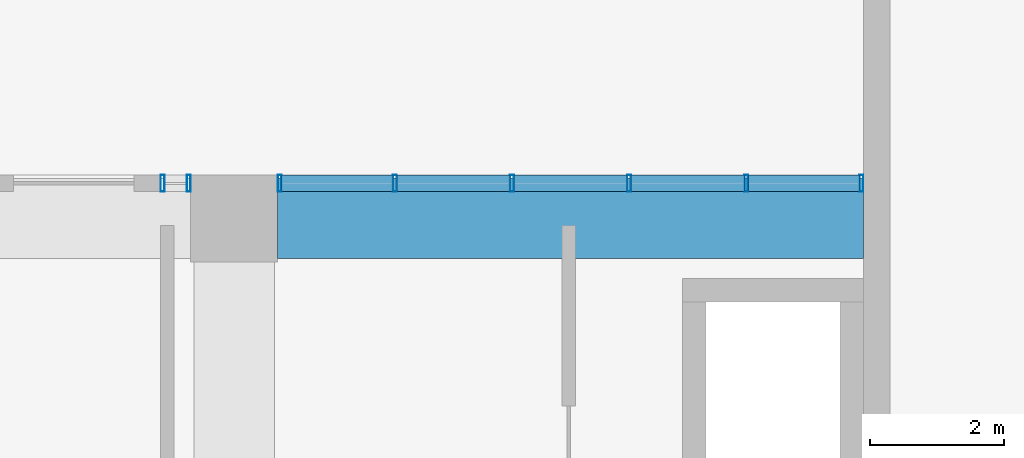
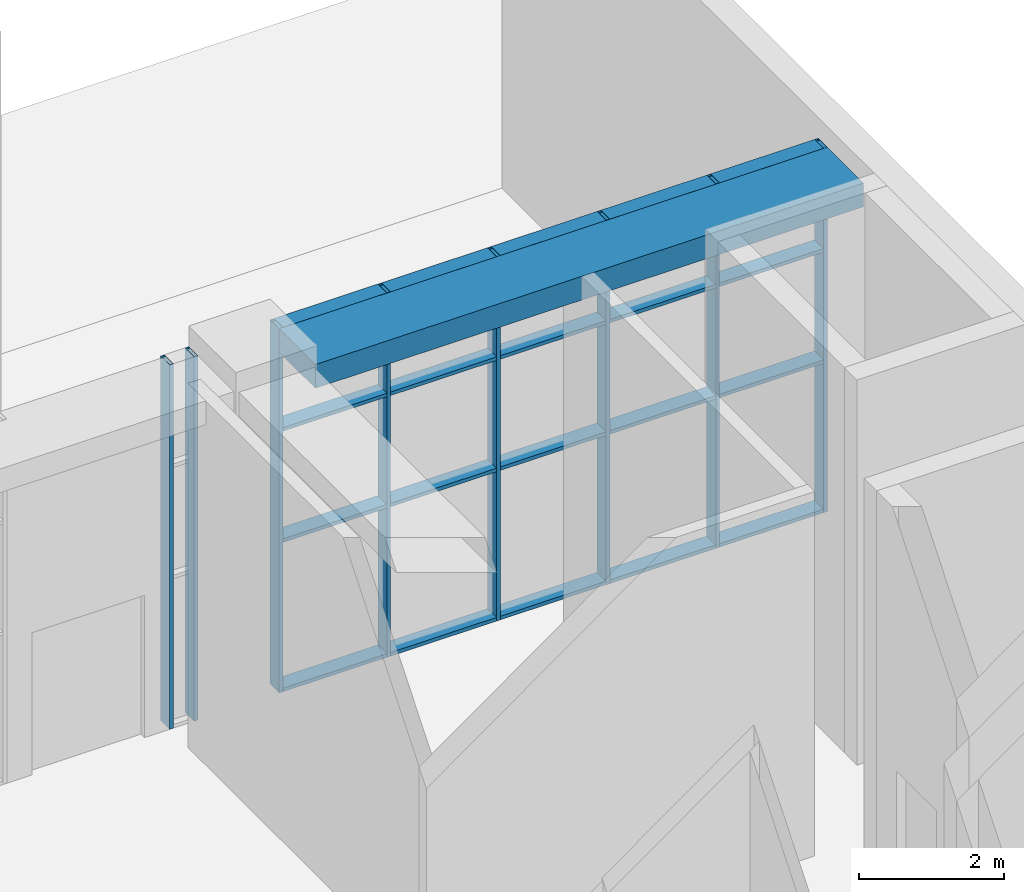
# One storey, part 9 of 45: 28 members, 1 beam, 2 elements without a shape of their own.
"""IFC4 building model written with IfcOpenShell, lengths in metres."""

from ifc_helpers import new_model, si_unit, direction, frame, origin, origin_2d, place, context, subcontext, project, spatial, rectangle, hollow_rectangle, extrude, material, layer, layer_set, material_profile, profile_set, type_object, element, aggregate, save


model = new_model("IFC4")

# Units and contexts
model_context = context("Model", 3, precision=1e-05, world=origin(), true_north=direction((0.0, 1.0)))
body_context = subcontext(model_context, "Body", "Model", "MODEL_VIEW")
ifc_project = project(units=[si_unit("LENGTHUNIT", "METRE"), si_unit("AREAUNIT", "SQUARE_METRE"), si_unit("VOLUMEUNIT", "CUBIC_METRE"), si_unit("PLANEANGLEUNIT", "RADIAN"), si_unit("MASSUNIT", "GRAM", prefix="KILO")], contexts=[model_context])

# Site, building, storey
site_placement = place(None, origin())
site = spatial("IfcSite", under=ifc_project, at=site_placement, CompositionType="ELEMENT")
building_placement = place(site_placement, origin())
building = spatial("IfcBuilding", under=site, at=building_placement, Name="Nzadi Deep Aquarium and Research Tower", CompositionType="ELEMENT")
storey_placement = place(building_placement, origin())
storey = spatial("IfcBuildingStorey", under=building, at=storey_placement, Name="G", CompositionType="ELEMENT", Elevation=0.0)

# Curtain wall, members
ifc_material_1 = material(Name="Aluminium stick frame", Category="aluminium")
ifc_layer = layer(ifc_material_1, 0.25)
ifc_layer_set = layer_set([ifc_layer], Name="Aluminium stick frame")
curtain_wall_type = type_object("IfcCurtainWallType", Name="Curtain wall Stick 250", PredefinedType="NOTDEFINED", material=ifc_layer_set)
curtain_wall_1_placement = place(storey_placement, origin())
curtain_wall_1 = element("IfcCurtainWall", 1, at=curtain_wall_1_placement, inside=storey, type_object=curtain_wall_type, Name="Lobby stick glazing G", PredefinedType="NOTDEFINED")
ifc_material_2 = material(Name="Aluminium stick frame", Category="aluminium")
ifc_material_profile_1 = material_profile(ifc_material_2, hollow_rectangle(XDim=0.25, YDim=0.06005859375, WallThickness=0.0048828125, at=origin_2d()))
ifc_profile_set_1 = profile_set([ifc_material_profile_1], Name="Aluminium stick frame")
member_type_1 = type_object("IfcMemberType", Name="Mullion 60x250 Stick", PredefinedType="MULLION", material=ifc_profile_set_1)
member_1_placement = place(storey_placement, frame((46.929931640625, 132.125, 0.0), z_axis=(0.0, 0.0, 1.0), x_axis=(0.0, 1.0, 0.0)))
member_1 = element("IfcMember", 2, at=member_1_placement, type_object=member_type_1, Name="CW243 mullion 1", PredefinedType="MULLION", context=body_context, shape_type="SweptSolid", body=[
    extrude(hollow_rectangle(XDim=0.25, YDim=0.06005859375, WallThickness=0.0048828125, at=origin_2d()), origin(), (0.0, 0.0, 1.0), 6.14990234375),
])
member_2_placement = place(storey_placement, frame((47.320068359375, 132.125, 0.0), z_axis=(0.0, 0.0, 1.0), x_axis=(0.0, 1.0, 0.0)))
member_2 = element("IfcMember", 3, at=member_2_placement, type_object=member_type_1, Name="CW243 mullion 2", PredefinedType="MULLION", context=body_context, shape_type="SweptSolid", body=[
    extrude(hollow_rectangle(XDim=0.25, YDim=0.06005859375, WallThickness=0.0048828125, at=origin_2d()), origin(), (0.0, 0.0, 1.0), 6.14990234375),
])
aggregate(curtain_wall_1, [member_1, member_2])

curtain_wall_2_placement = place(storey_placement, origin())
curtain_wall_2 = element("IfcCurtainWall", 4, at=curtain_wall_2_placement, inside=storey, type_object=curtain_wall_type, Name="Lobby stick glazing G", PredefinedType="NOTDEFINED")
member_3_placement = place(storey_placement, frame((48.679931640625, 132.125, 0.0), z_axis=(0.0, 0.0, 1.0), x_axis=(0.0, 1.0, 0.0)))
member_3 = element("IfcMember", 5, at=member_3_placement, type_object=member_type_1, Name="CW247 mullion 1", PredefinedType="MULLION", context=body_context, shape_type="SweptSolid", body=[
    extrude(hollow_rectangle(XDim=0.25, YDim=0.06005859375, WallThickness=0.0048828125, at=origin_2d()), origin(), (0.0, 0.0, 1.0), 6.14990234375),
])
member_4_placement = place(storey_placement, frame((50.39990234375, 132.125, 0.0), z_axis=(0.0, 0.0, 1.0), x_axis=(0.0, 1.0, 0.0)))
member_4 = element("IfcMember", 6, at=member_4_placement, type_object=member_type_1, Name="CW247 mullion 2", PredefinedType="MULLION", context=body_context, shape_type="SweptSolid", body=[
    extrude(hollow_rectangle(XDim=0.25, YDim=0.06005859375, WallThickness=0.0048828125, at=origin_2d()), origin(), (0.0, 0.0, 1.0), 6.14990234375),
])
member_5_placement = place(storey_placement, frame((52.14990234375, 132.125, 0.0), z_axis=(0.0, 0.0, 1.0), x_axis=(0.0, 1.0, 0.0)))
member_5 = element("IfcMember", 7, at=member_5_placement, type_object=member_type_1, Name="CW247 mullion 3", PredefinedType="MULLION", context=body_context, shape_type="SweptSolid", body=[
    extrude(hollow_rectangle(XDim=0.25, YDim=0.06005859375, WallThickness=0.0048828125, at=origin_2d()), origin(), (0.0, 0.0, 1.0), 6.14990234375),
])
member_6_placement = place(storey_placement, frame((53.89990234375, 132.125, 0.0), z_axis=(0.0, 0.0, 1.0), x_axis=(0.0, 1.0, 0.0)))
member_6 = element("IfcMember", 8, at=member_6_placement, type_object=member_type_1, Name="CW247 mullion 4", PredefinedType="MULLION", context=body_context, shape_type="SweptSolid", body=[
    extrude(hollow_rectangle(XDim=0.25, YDim=0.06005859375, WallThickness=0.0048828125, at=origin_2d()), origin(), (0.0, 0.0, 1.0), 6.14990234375),
])
member_7_placement = place(storey_placement, frame((55.64990234375, 132.125, 0.0), z_axis=(0.0, 0.0, 1.0), x_axis=(0.0, 1.0, 0.0)))
member_7 = element("IfcMember", 9, at=member_7_placement, type_object=member_type_1, Name="CW247 mullion 5", PredefinedType="MULLION", context=body_context, shape_type="SweptSolid", body=[
    extrude(hollow_rectangle(XDim=0.25, YDim=0.06005859375, WallThickness=0.0048828125, at=origin_2d()), origin(), (0.0, 0.0, 1.0), 6.14990234375),
])
member_8_placement = place(storey_placement, frame((57.3701171875, 132.125, 0.0), z_axis=(0.0, 0.0, 1.0), x_axis=(0.0, 1.0, 0.0)))
member_8 = element("IfcMember", 10, at=member_8_placement, type_object=member_type_1, Name="CW247 mullion 6", PredefinedType="MULLION", context=body_context, shape_type="SweptSolid", body=[
    extrude(hollow_rectangle(XDim=0.25, YDim=0.06005859375, WallThickness=0.0048828125, at=origin_2d()), origin(), (0.0, 0.0, 1.0), 6.14990234375),
])

# Beam
ifc_material_3 = material(Name="Concrete C35/45", Category="concrete")
ifc_material_profile_2 = material_profile(ifc_material_3, rectangle(XDim=1.199951171875, YDim=0.39990234375, at=origin_2d()))
ifc_profile_set_2 = profile_set([ifc_material_profile_2], Name="Concrete C35/45")
beam_type = type_object("IfcBeamType", Name="RC 1200x400", PredefinedType="BEAM", material=ifc_profile_set_2)
beam_placement = place(storey_placement, frame((48.64990234375, 131.60009765625, 5.949951171875), z_axis=(1.0, 0.0, 0.0), x_axis=(0.0, 1.0, 0.0)))
element("IfcBeam", 11, at=beam_placement, inside=storey, type_object=beam_type, Name="B-Z3-G-L17-6", PredefinedType="BEAM", context=body_context, shape_type="SweptSolid", body=[
    extrude(rectangle(XDim=1.199951171875, YDim=0.39990234375, at=origin_2d()), origin(), (0.0, 0.0, 1.0), 8.75),
])

# Member
ifc_material_4 = material(Name="Aluminium stick frame", Category="aluminium")
ifc_material_profile_3 = material_profile(ifc_material_4, hollow_rectangle(XDim=0.25, YDim=0.06005859375, WallThickness=0.0048828125, at=origin_2d()))
ifc_profile_set_3 = profile_set([ifc_material_profile_3], Name="Aluminium stick frame")
member_type_2 = type_object("IfcMemberType", Name="Transom 60x250 Stick", PredefinedType="MULLION", material=ifc_profile_set_3)
member_9_placement = place(storey_placement, frame((48.7099609375, 132.125, 0.030029296875), z_axis=(1.0, 0.0, 0.0), x_axis=(0.0, 1.0, 0.0)))
member_9 = element("IfcMember", 12, at=member_9_placement, type_object=member_type_2, Name="CW247 transom 1.1", PredefinedType="MULLION", context=body_context, shape_type="SweptSolid", body=[
    extrude(hollow_rectangle(XDim=0.25, YDim=0.06005859375, WallThickness=0.0048828125, at=origin_2d()), origin(), (0.0, 0.0, 1.0), 1.66015625),
])

member_10_placement = place(storey_placement, frame((48.7099609375, 132.125, 2.550048828125), z_axis=(1.0, 0.0, 0.0), x_axis=(0.0, 1.0, 0.0)))
member_10 = element("IfcMember", 13, at=member_10_placement, type_object=member_type_2, Name="CW247 transom 1.2", PredefinedType="MULLION", context=body_context, shape_type="SweptSolid", body=[
    extrude(hollow_rectangle(XDim=0.25, YDim=0.06005859375, WallThickness=0.0048828125, at=origin_2d()), origin(), (0.0, 0.0, 1.0), 1.66015625),
])

member_11_placement = place(storey_placement, frame((48.7099609375, 132.125, 4.427978515625), z_axis=(1.0, 0.0, 0.0), x_axis=(0.0, 1.0, 0.0)))
member_11 = element("IfcMember", 14, at=member_11_placement, type_object=member_type_2, Name="CW247 transom 1.3", PredefinedType="MULLION", context=body_context, shape_type="SweptSolid", body=[
    extrude(hollow_rectangle(XDim=0.25, YDim=0.06005859375, WallThickness=0.0048828125, at=origin_2d()), origin(), (0.0, 0.0, 1.0), 1.66015625),
])

member_12_placement = place(storey_placement, frame((48.7099609375, 132.125, 6.1201171875), z_axis=(1.0, 0.0, 0.0), x_axis=(0.0, 1.0, 0.0)))
member_12 = element("IfcMember", 15, at=member_12_placement, type_object=member_type_2, Name="CW247 transom 1.4", PredefinedType="MULLION", context=body_context, shape_type="SweptSolid", body=[
    extrude(hollow_rectangle(XDim=0.25, YDim=0.06005859375, WallThickness=0.0048828125, at=origin_2d()), origin(), (0.0, 0.0, 1.0), 1.66015625),
])

member_13_placement = place(storey_placement, frame((50.429931640625, 132.125, 0.030029296875), z_axis=(1.0, 0.0, 0.0), x_axis=(0.0, 1.0, 0.0)))
member_13 = element("IfcMember", 16, at=member_13_placement, type_object=member_type_2, Name="CW247 transom 2.1", PredefinedType="MULLION", context=body_context, shape_type="SweptSolid", body=[
    extrude(hollow_rectangle(XDim=0.25, YDim=0.06005859375, WallThickness=0.0048828125, at=origin_2d()), origin(), (0.0, 0.0, 1.0), 1.690185546875),
])

member_14_placement = place(storey_placement, frame((50.429931640625, 132.125, 2.550048828125), z_axis=(1.0, 0.0, 0.0), x_axis=(0.0, 1.0, 0.0)))
member_14 = element("IfcMember", 17, at=member_14_placement, type_object=member_type_2, Name="CW247 transom 2.2", PredefinedType="MULLION", context=body_context, shape_type="SweptSolid", body=[
    extrude(hollow_rectangle(XDim=0.25, YDim=0.06005859375, WallThickness=0.0048828125, at=origin_2d()), origin(), (0.0, 0.0, 1.0), 1.690185546875),
])

member_15_placement = place(storey_placement, frame((50.429931640625, 132.125, 4.427978515625), z_axis=(1.0, 0.0, 0.0), x_axis=(0.0, 1.0, 0.0)))
member_15 = element("IfcMember", 18, at=member_15_placement, type_object=member_type_2, Name="CW247 transom 2.3", PredefinedType="MULLION", context=body_context, shape_type="SweptSolid", body=[
    extrude(hollow_rectangle(XDim=0.25, YDim=0.06005859375, WallThickness=0.0048828125, at=origin_2d()), origin(), (0.0, 0.0, 1.0), 1.690185546875),
])

member_16_placement = place(storey_placement, frame((50.429931640625, 132.125, 6.1201171875), z_axis=(1.0, 0.0, 0.0), x_axis=(0.0, 1.0, 0.0)))
member_16 = element("IfcMember", 19, at=member_16_placement, type_object=member_type_2, Name="CW247 transom 2.4", PredefinedType="MULLION", context=body_context, shape_type="SweptSolid", body=[
    extrude(hollow_rectangle(XDim=0.25, YDim=0.06005859375, WallThickness=0.0048828125, at=origin_2d()), origin(), (0.0, 0.0, 1.0), 1.690185546875),
])

member_17_placement = place(storey_placement, frame((52.179931640625, 132.125, 0.030029296875), z_axis=(1.0, 0.0, 0.0), x_axis=(0.0, 1.0, 0.0)))
member_17 = element("IfcMember", 20, at=member_17_placement, type_object=member_type_2, Name="CW247 transom 3.1", PredefinedType="MULLION", context=body_context, shape_type="SweptSolid", body=[
    extrude(hollow_rectangle(XDim=0.25, YDim=0.06005859375, WallThickness=0.0048828125, at=origin_2d()), origin(), (0.0, 0.0, 1.0), 1.690185546875),
])

member_18_placement = place(storey_placement, frame((52.179931640625, 132.125, 2.550048828125), z_axis=(1.0, 0.0, 0.0), x_axis=(0.0, 1.0, 0.0)))
member_18 = element("IfcMember", 21, at=member_18_placement, type_object=member_type_2, Name="CW247 transom 3.2", PredefinedType="MULLION", context=body_context, shape_type="SweptSolid", body=[
    extrude(hollow_rectangle(XDim=0.25, YDim=0.06005859375, WallThickness=0.0048828125, at=origin_2d()), origin(), (0.0, 0.0, 1.0), 1.690185546875),
])

member_19_placement = place(storey_placement, frame((52.179931640625, 132.125, 4.427978515625), z_axis=(1.0, 0.0, 0.0), x_axis=(0.0, 1.0, 0.0)))
member_19 = element("IfcMember", 22, at=member_19_placement, type_object=member_type_2, Name="CW247 transom 3.3", PredefinedType="MULLION", context=body_context, shape_type="SweptSolid", body=[
    extrude(hollow_rectangle(XDim=0.25, YDim=0.06005859375, WallThickness=0.0048828125, at=origin_2d()), origin(), (0.0, 0.0, 1.0), 1.690185546875),
])

member_20_placement = place(storey_placement, frame((52.179931640625, 132.125, 6.1201171875), z_axis=(1.0, 0.0, 0.0), x_axis=(0.0, 1.0, 0.0)))
member_20 = element("IfcMember", 23, at=member_20_placement, type_object=member_type_2, Name="CW247 transom 3.4", PredefinedType="MULLION", context=body_context, shape_type="SweptSolid", body=[
    extrude(hollow_rectangle(XDim=0.25, YDim=0.06005859375, WallThickness=0.0048828125, at=origin_2d()), origin(), (0.0, 0.0, 1.0), 1.690185546875),
])

member_21_placement = place(storey_placement, frame((53.929931640625, 132.125, 0.030029296875), z_axis=(1.0, 0.0, 0.0), x_axis=(0.0, 1.0, 0.0)))
member_21 = element("IfcMember", 24, at=member_21_placement, type_object=member_type_2, Name="CW247 transom 4.1", PredefinedType="MULLION", context=body_context, shape_type="SweptSolid", body=[
    extrude(hollow_rectangle(XDim=0.25, YDim=0.06005859375, WallThickness=0.0048828125, at=origin_2d()), origin(), (0.0, 0.0, 1.0), 1.690185546875),
])

member_22_placement = place(storey_placement, frame((53.929931640625, 132.125, 2.550048828125), z_axis=(1.0, 0.0, 0.0), x_axis=(0.0, 1.0, 0.0)))
member_22 = element("IfcMember", 25, at=member_22_placement, type_object=member_type_2, Name="CW247 transom 4.2", PredefinedType="MULLION", context=body_context, shape_type="SweptSolid", body=[
    extrude(hollow_rectangle(XDim=0.25, YDim=0.06005859375, WallThickness=0.0048828125, at=origin_2d()), origin(), (0.0, 0.0, 1.0), 1.690185546875),
])

member_23_placement = place(storey_placement, frame((53.929931640625, 132.125, 4.427978515625), z_axis=(1.0, 0.0, 0.0), x_axis=(0.0, 1.0, 0.0)))
member_23 = element("IfcMember", 26, at=member_23_placement, type_object=member_type_2, Name="CW247 transom 4.3", PredefinedType="MULLION", context=body_context, shape_type="SweptSolid", body=[
    extrude(hollow_rectangle(XDim=0.25, YDim=0.06005859375, WallThickness=0.0048828125, at=origin_2d()), origin(), (0.0, 0.0, 1.0), 1.690185546875),
])

member_24_placement = place(storey_placement, frame((53.929931640625, 132.125, 6.1201171875), z_axis=(1.0, 0.0, 0.0), x_axis=(0.0, 1.0, 0.0)))
member_24 = element("IfcMember", 27, at=member_24_placement, type_object=member_type_2, Name="CW247 transom 4.4", PredefinedType="MULLION", context=body_context, shape_type="SweptSolid", body=[
    extrude(hollow_rectangle(XDim=0.25, YDim=0.06005859375, WallThickness=0.0048828125, at=origin_2d()), origin(), (0.0, 0.0, 1.0), 1.690185546875),
])

member_25_placement = place(storey_placement, frame((55.679931640625, 132.125, 0.030029296875), z_axis=(1.0, 0.0, 0.0), x_axis=(0.0, 1.0, 0.0)))
member_25 = element("IfcMember", 28, at=member_25_placement, type_object=member_type_2, Name="CW247 transom 5.1", PredefinedType="MULLION", context=body_context, shape_type="SweptSolid", body=[
    extrude(hollow_rectangle(XDim=0.25, YDim=0.06005859375, WallThickness=0.0048828125, at=origin_2d()), origin(), (0.0, 0.0, 1.0), 1.66015625),
])

member_26_placement = place(storey_placement, frame((55.679931640625, 132.125, 2.550048828125), z_axis=(1.0, 0.0, 0.0), x_axis=(0.0, 1.0, 0.0)))
member_26 = element("IfcMember", 29, at=member_26_placement, type_object=member_type_2, Name="CW247 transom 5.2", PredefinedType="MULLION", context=body_context, shape_type="SweptSolid", body=[
    extrude(hollow_rectangle(XDim=0.25, YDim=0.06005859375, WallThickness=0.0048828125, at=origin_2d()), origin(), (0.0, 0.0, 1.0), 1.66015625),
])

member_27_placement = place(storey_placement, frame((55.679931640625, 132.125, 4.427978515625), z_axis=(1.0, 0.0, 0.0), x_axis=(0.0, 1.0, 0.0)))
member_27 = element("IfcMember", 30, at=member_27_placement, type_object=member_type_2, Name="CW247 transom 5.3", PredefinedType="MULLION", context=body_context, shape_type="SweptSolid", body=[
    extrude(hollow_rectangle(XDim=0.25, YDim=0.06005859375, WallThickness=0.0048828125, at=origin_2d()), origin(), (0.0, 0.0, 1.0), 1.66015625),
])

member_28_placement = place(storey_placement, frame((55.679931640625, 132.125, 6.1201171875), z_axis=(1.0, 0.0, 0.0), x_axis=(0.0, 1.0, 0.0)))
member_28 = element("IfcMember", 31, at=member_28_placement, type_object=member_type_2, Name="CW247 transom 5.4", PredefinedType="MULLION", context=body_context, shape_type="SweptSolid", body=[
    extrude(hollow_rectangle(XDim=0.25, YDim=0.06005859375, WallThickness=0.0048828125, at=origin_2d()), origin(), (0.0, 0.0, 1.0), 1.66015625),
])

aggregate(curtain_wall_2, [member_3, member_4, member_5, member_6, member_7, member_8, member_9, member_10, member_11, member_12, member_13, member_14, member_15, member_16, member_17, member_18, member_19, member_20, member_21, member_22, member_23, member_24, member_25, member_26, member_27, member_28])

save(model, "model.ifc")
